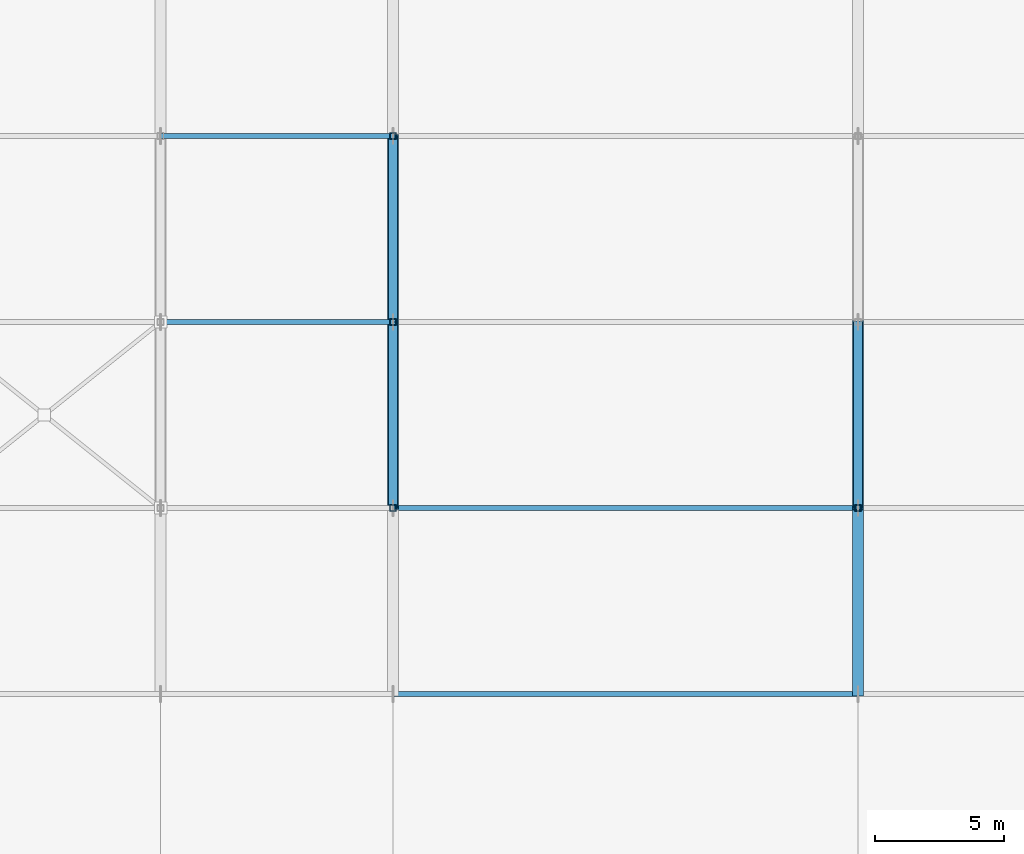
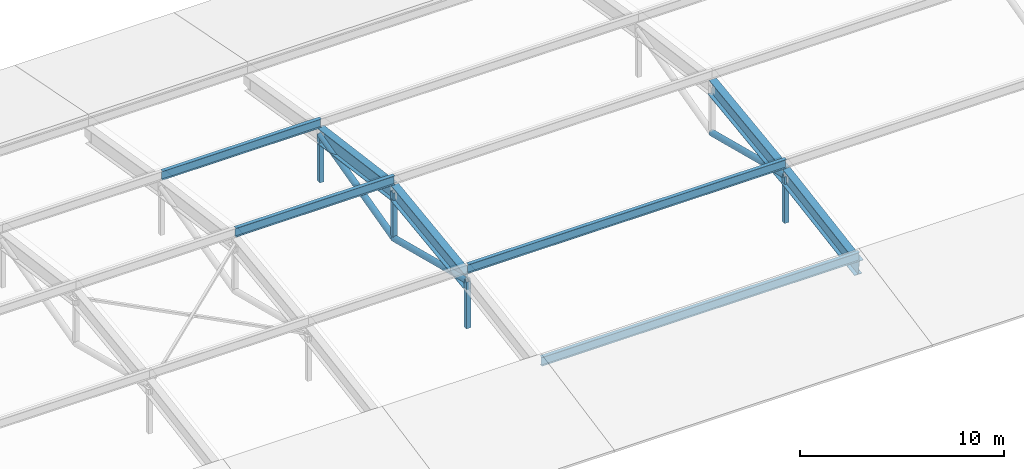
# One storey, part 16 of 78: 15 members.
"""IFC4 building model written with IfcOpenShell, lengths in metres."""

from ifc_helpers import new_model, si_unit, direction, frame, origin, origin_2d, place, context, subcontext, project, spatial, hollow_rectangle, hollow_circle, i_section, extrude, material, material_profile, profile_set, type_object, element, save


model = new_model("IFC4")

# Units and contexts
model_context = context("Model", 3, precision=1e-05, world=origin(), true_north=direction((0.0, 1.0)))
body_context = subcontext(model_context, "Body", "Model", "MODEL_VIEW")
ifc_project = project(units=[si_unit("LENGTHUNIT", "METRE"), si_unit("AREAUNIT", "SQUARE_METRE"), si_unit("VOLUMEUNIT", "CUBIC_METRE"), si_unit("PLANEANGLEUNIT", "RADIAN"), si_unit("MASSUNIT", "GRAM", prefix="KILO")], contexts=[model_context])

# Site, building, storey
site_placement = place(None, origin())
site = spatial("IfcSite", under=ifc_project, at=site_placement, CompositionType="ELEMENT")
building_placement = place(site_placement, origin())
building = spatial("IfcBuilding", under=site, at=building_placement, Name="Celestram Park Convention Centre", CompositionType="ELEMENT")
storey_placement = place(building_placement, frame((0.0, 0.0, 19.800048828125)))
storey = spatial("IfcBuildingStorey", under=building, at=storey_placement, Name="L04", CompositionType="ELEMENT", Elevation=19.800048828125)

# Members
ifc_material_1 = material(Name="Steel ASTM A500 Grade C", Category="steel")
ifc_material_profile_1 = material_profile(ifc_material_1, hollow_circle(Radius=0.177978515625, WallThickness=0.011962890625, at=origin_2d()), Name="CHS356X12")
ifc_profile_set_1 = profile_set([ifc_material_profile_1], Name="Steel ASTM A500 Grade C")
member_type_1 = type_object("IfcMemberType", Name="STR-BRC-CHS356", PredefinedType="BRACE", material=ifc_profile_set_1)
for number, where, z_axis, x_axis, name in (
    (1, (72.0, 57.60009765625, 1.670166015625), (0.0, 0.968804355336, -0.247826796536), (-1.0, 0.0, 0.0), "V1 arch web diagonal"),
    (2, (72.0, 64.800048828125, -0.171630859375), (0.0, 0.968804355336, 0.247826796536), (-1.0, 0.0, 0.0), "V1 arch web diagonal"),
    (3, (90.0, 57.60009765625, 1.670166015625), (0.0, 0.968804355336, -0.247826796536), (-1.0, 0.0, 0.0), "V1 arch web diagonal"),
):
    element("IfcMember", number, at=place(storey_placement, frame(where, z_axis=z_axis, x_axis=x_axis)), inside=storey, type_object=member_type_1, Name=name, PredefinedType="BRACE", context=body_context, shape_type="SweptSolid", body=[
        extrude(hollow_circle(Radius=0.177978515625, WallThickness=0.011962890625, at=origin_2d()), origin(), (0.0, 0.0, 1.0), 7.431884765625),
    ])
ifc_material_2 = material(Name="Steel ASTM A992 Grade 50", Category="steel")
ifc_material_profile_2 = material_profile(ifc_material_2, i_section(OverallWidth=0.4189453125, OverallDepth=0.927001953125, WebThickness=0.019287109375, FlangeThickness=0.031982421875, at=origin_2d()), Name="W36X231")
ifc_profile_set_2 = profile_set([ifc_material_profile_2], Name="Steel ASTM A992 Grade 50")
member_type_2 = type_object("IfcMemberType", Name="STR-CHD-W36X231", PredefinedType="CHORD", material=ifc_profile_set_2)
for number, where, z_axis, x_axis, name in (
    (4, (72.0, 57.60009765625, 1.670166015625), (0.0, 0.991259283276, 0.131928136952), (-1.0, 0.0, 0.0), "V1 arch top chord"),
    (5, (72.0, 64.800048828125, 2.62841796875), (0.0, 0.991259283276, -0.131928136952), (-1.0, 0.0, 0.0), "V1 arch top chord"),
):
    element("IfcMember", number, at=place(storey_placement, frame(where, z_axis=z_axis, x_axis=x_axis)), inside=storey, type_object=member_type_2, Name=name, PredefinedType="CHORD", context=body_context, shape_type="SweptSolid", body=[
        extrude(i_section(OverallWidth=0.4189453125, OverallDepth=0.927001953125, WebThickness=0.019287109375, FlangeThickness=0.031982421875, at=origin_2d()), origin(), (0.0, 0.0, 1.0), 7.263427734375),
    ])
member_1_placement = place(storey_placement, frame((90.0, 50.39990234375, 0.481689453125), z_axis=(0.0, 0.986649508872, 0.162858056734), x_axis=(-1.0, 0.0, 0.0)))
element("IfcMember", 6, at=member_1_placement, inside=storey, type_object=member_type_2, Name="V1 arch top chord", PredefinedType="CHORD", context=body_context, shape_type="SweptSolid", body=[
    extrude(i_section(OverallWidth=0.4189453125, OverallDepth=0.927001953125, WebThickness=0.019287109375, FlangeThickness=0.031982421875, at=origin_2d()), origin(), (0.0, 0.0, 1.0), 7.297607421875),
])
member_2_placement = place(storey_placement, frame((90.0, 57.60009765625, 1.670166015625), z_axis=(0.0, 0.991259283276, 0.131928136952), x_axis=(-1.0, 0.0, 0.0)))
element("IfcMember", 7, at=member_2_placement, inside=storey, type_object=member_type_2, Name="V1 arch top chord", PredefinedType="CHORD", context=body_context, shape_type="SweptSolid", body=[
    extrude(i_section(OverallWidth=0.4189453125, OverallDepth=0.927001953125, WebThickness=0.019287109375, FlangeThickness=0.031982421875, at=origin_2d()), origin(), (0.0, 0.0, 1.0), 7.263427734375),
])
ifc_material_profile_3 = material_profile(ifc_material_2, i_section(OverallWidth=0.2099609375, OverallDepth=0.532958984375, WebThickness=0.01025390625, FlangeThickness=0.015625, at=origin_2d()), Name="W21X62")
ifc_profile_set_3 = profile_set([ifc_material_profile_3], Name="Steel ASTM A992 Grade 50")
member_type_3 = type_object("IfcMemberType", Name="STR-RFT-W21X62", PredefinedType="RAFTER", material=ifc_profile_set_3)
for number, where, z_axis, x_axis, name in (
    (8, (63.0, 64.800048828125, 3.3583984375), (1.0, 0.0, 0.0), (0.0, 1.0, 0.0), "V1 roof purlin"),
    (9, (63.0, 72.0, 2.400146484375), (1.0, 0.0, 0.0), (0.0, 1.0, 0.0), "V1 roof purlin"),
):
    element("IfcMember", number, at=place(storey_placement, frame(where, z_axis=z_axis, x_axis=x_axis)), inside=storey, type_object=member_type_3, Name=name, PredefinedType="RAFTER", context=body_context, shape_type="SweptSolid", body=[
        extrude(i_section(OverallWidth=0.2099609375, OverallDepth=0.532958984375, WebThickness=0.01025390625, FlangeThickness=0.015625, at=origin_2d()), origin(), (0.0, 0.0, 1.0), 9.0),
    ])
for number, where, z_axis, x_axis, name in (
    (10, (72.0, 50.39990234375, 1.211669921875), (1.0, 0.0, 0.0), (0.0, 1.0, 0.0), "V1 roof purlin"),
    (11, (72.0, 57.60009765625, 2.400146484375), (1.0, 0.0, 0.0), (0.0, 1.0, 0.0), "V1 roof purlin"),
):
    element("IfcMember", number, at=place(storey_placement, frame(where, z_axis=z_axis, x_axis=x_axis)), inside=storey, type_object=member_type_3, Name=name, PredefinedType="RAFTER", context=body_context, shape_type="SweptSolid", body=[
        extrude(i_section(OverallWidth=0.2099609375, OverallDepth=0.532958984375, WebThickness=0.01025390625, FlangeThickness=0.015625, at=origin_2d()), origin(), (0.0, 0.0, 1.0), 18.0),
    ])
ifc_material_profile_4 = material_profile(ifc_material_1, hollow_rectangle(XDim=0.25, YDim=0.25, WallThickness=0.011962890625, at=origin_2d()), Name="HSS250X250X12")
ifc_profile_set_4 = profile_set([ifc_material_profile_4], Name="Steel ASTM A500 Grade C")
member_type_4 = type_object("IfcMemberType", Name="STR-STR-HSS250", PredefinedType="STRUT", material=ifc_profile_set_4)
for number, where, z_axis, x_axis, name in (
    (12, (72.0, 57.60009765625, -1.1298828125), (0.0, 0.0, 1.0), (1.0, 0.0, 0.0), "V1 arch vertical strut"),
    (13, (72.0, 64.800048828125, -0.171630859375), (0.0, 0.0, 1.0), (1.0, 0.0, 0.0), "V1 arch vertical strut"),
    (14, (72.0, 72.0, -1.1298828125), (0.0, 0.0, 1.0), (1.0, 0.0, 0.0), "V1 arch vertical strut"),
    (15, (90.0, 57.60009765625, -1.1298828125), (0.0, 0.0, 1.0), (1.0, 0.0, 0.0), "V1 arch vertical strut"),
):
    element("IfcMember", number, at=place(storey_placement, frame(where, z_axis=z_axis, x_axis=x_axis)), inside=storey, type_object=member_type_4, Name=name, PredefinedType="STRUT", context=body_context, shape_type="SweptSolid", body=[
        extrude(hollow_rectangle(XDim=0.25, YDim=0.25, WallThickness=0.011962890625, at=origin_2d()), origin(), (0.0, 0.0, 1.0), 2.800048828125),
    ])

save(model, "model.ifc")
